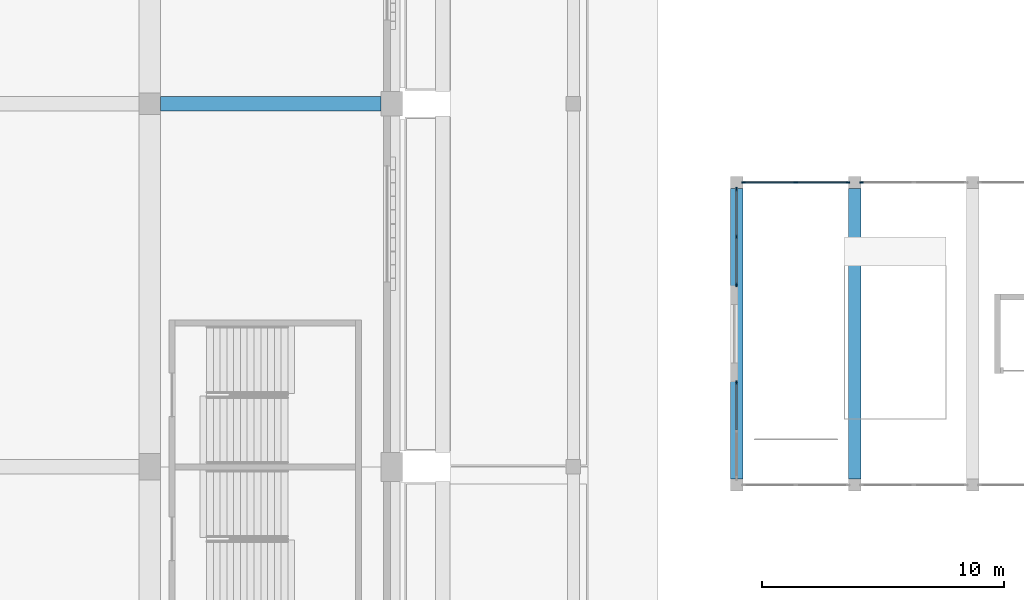
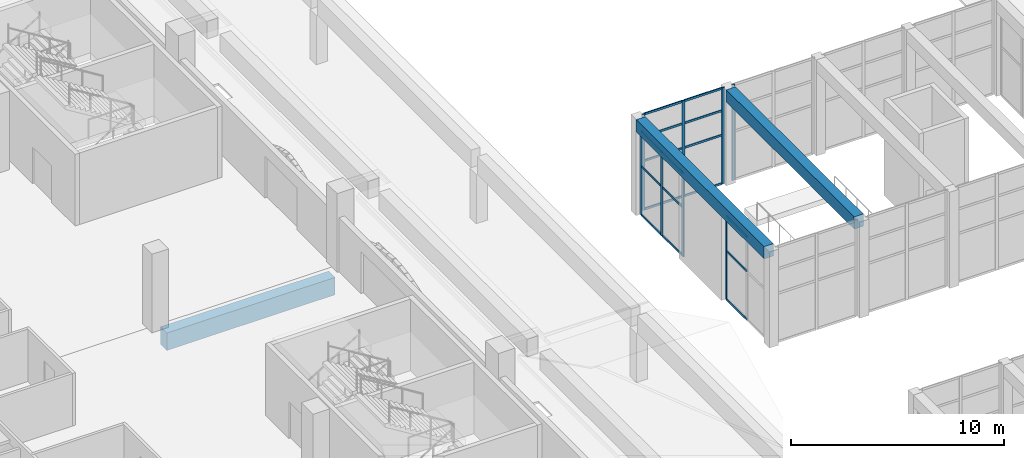
# One storey, part 9 of 175: 25 members, 3 beams, 4 elements without a shape of their own.
"""IFC4 building model written with IfcOpenShell, lengths in metres."""

from ifc_helpers import new_model, si_unit, direction, frame, origin, origin_2d, place, context, subcontext, project, spatial, rectangle, extrude, material, material_profile, profile_set, type_object, element, aggregate, save


model = new_model("IFC4")

# Units and contexts
model_context = context("Model", 3, precision=1e-05, world=origin(), true_north=direction((0.0, 1.0)))
body_context = subcontext(model_context, "Body", "Model", "MODEL_VIEW")
ifc_project = project(units=[si_unit("LENGTHUNIT", "METRE"), si_unit("AREAUNIT", "SQUARE_METRE"), si_unit("VOLUMEUNIT", "CUBIC_METRE"), si_unit("PLANEANGLEUNIT", "RADIAN"), si_unit("MASSUNIT", "GRAM", prefix="KILO")], contexts=[model_context])

# Site, building, storey
site_placement = place(None, origin())
site = spatial("IfcSite", under=ifc_project, at=site_placement, CompositionType="ELEMENT")
building_placement = place(site_placement, origin())
building = spatial("IfcBuilding", under=site, at=building_placement, Name="Ogive Plaza Stadium", CompositionType="ELEMENT")
storey_placement = place(building_placement, origin())
storey = spatial("IfcBuildingStorey", under=building, at=storey_placement, Name="L00", CompositionType="ELEMENT", Elevation=0.0)

# Curtain wall, members
ifc_material_1 = material(Name="Aluminium and laminated glass", Category="aluminium")
curtain_wall_type = type_object("IfcCurtainWallType", Name="Headhouse curtain wall", PredefinedType="NOTDEFINED", material=ifc_material_1)
curtain_wall_1_placement = place(storey_placement, origin())
curtain_wall_1 = element("IfcCurtainWall", 1, at=curtain_wall_1_placement, inside=storey, type_object=curtain_wall_type, Name="Headhouse 2 curtain wall", PredefinedType="NOTDEFINED")
ifc_material_2 = material(Name="Bronze-anodised aluminium", Category="aluminium")
ifc_material_profile_1 = material_profile(ifc_material_2, rectangle(XDim=0.06005859375, YDim=0.159912109375, at=origin_2d()), Name="Headhouse mullion 60x160")
ifc_profile_set_1 = profile_set([ifc_material_profile_1], Name="Bronze-anodised aluminium")
member_type_1 = type_object("IfcMemberType", Name="Headhouse mullion 60x160", PredefinedType="MULLION", material=ifc_profile_set_1)
member_1_placement = place(storey_placement, frame((98.530029296875, 19.25, 0.0), z_axis=(0.0, 0.0, 1.0), x_axis=(0.0, 1.0, 0.0)))
member_1 = element("IfcMember", 2, at=member_1_placement, type_object=member_type_1, Name="HCW2A mullion 1", PredefinedType="MULLION", context=body_context, shape_type="SweptSolid", body=[
    extrude(rectangle(XDim=0.06005859375, YDim=0.159912109375, at=origin_2d()), origin(), (0.0, 0.0, 1.0), 5.5),
])
member_2_placement = place(storey_placement, frame((100.6875, 19.25, 0.0), z_axis=(0.0, 0.0, 1.0), x_axis=(0.0, 1.0, 0.0)))
member_2 = element("IfcMember", 3, at=member_2_placement, type_object=member_type_1, Name="HCW2A mullion 2", PredefinedType="MULLION", context=body_context, shape_type="SweptSolid", body=[
    extrude(rectangle(XDim=0.06005859375, YDim=0.159912109375, at=origin_2d()), origin(), (0.0, 0.0, 1.0), 5.5),
])
member_3_placement = place(storey_placement, frame((102.844970703125, 19.25, 0.0), z_axis=(0.0, 0.0, 1.0), x_axis=(0.0, 1.0, 0.0)))
member_3 = element("IfcMember", 4, at=member_3_placement, type_object=member_type_1, Name="HCW2A mullion 3", PredefinedType="MULLION", context=body_context, shape_type="SweptSolid", body=[
    extrude(rectangle(XDim=0.06005859375, YDim=0.159912109375, at=origin_2d()), origin(), (0.0, 0.0, 1.0), 5.5),
])

# Curtain wall, member
curtain_wall_2_placement = place(storey_placement, origin())
curtain_wall_2 = element("IfcCurtainWall", 5, at=curtain_wall_2_placement, inside=storey, type_object=curtain_wall_type, Name="Headhouse 2 curtain wall", PredefinedType="NOTDEFINED")
member_4_placement = place(storey_placement, frame((103.405029296875, 19.25, 0.0), z_axis=(0.0, 0.0, 1.0), x_axis=(0.0, 1.0, 0.0)))
member_4 = element("IfcMember", 6, at=member_4_placement, type_object=member_type_1, Name="HCW2A mullion 1", PredefinedType="MULLION", context=body_context, shape_type="SweptSolid", body=[
    extrude(rectangle(XDim=0.06005859375, YDim=0.159912109375, at=origin_2d()), origin(), (0.0, 0.0, 1.0), 5.5),
])
aggregate(curtain_wall_2, [member_4])

curtain_wall_3_placement = place(storey_placement, origin())
curtain_wall_3 = element("IfcCurtainWall", 7, at=curtain_wall_3_placement, inside=storey, type_object=curtain_wall_type, Name="Headhouse 2 curtain wall", PredefinedType="NOTDEFINED")
member_5_placement = place(storey_placement, frame((98.25, 10.969970703125, 0.0), z_axis=(0.0, 0.0, 1.0), x_axis=(-1.0, 0.0, 0.0)))
member_5 = element("IfcMember", 8, at=member_5_placement, type_object=member_type_1, Name="HCW2B mullion 3", PredefinedType="MULLION", context=body_context, shape_type="SweptSolid", body=[
    extrude(rectangle(XDim=0.06005859375, YDim=0.159912109375, at=origin_2d()), origin(), (0.0, 0.0, 1.0), 4.800048828125),
])

# Curtain wall, members
curtain_wall_4_placement = place(storey_placement, origin())
curtain_wall_4 = element("IfcCurtainWall", 9, at=curtain_wall_4_placement, inside=storey, type_object=curtain_wall_type, Name="Headhouse 2 curtain wall", PredefinedType="NOTDEFINED")
member_6_placement = place(storey_placement, frame((98.25, 15.030029296875, 0.0), z_axis=(0.0, 0.0, 1.0), x_axis=(-1.0, 0.0, 0.0)))
member_6 = element("IfcMember", 10, at=member_6_placement, type_object=member_type_1, Name="HCW2B mullion 1", PredefinedType="MULLION", context=body_context, shape_type="SweptSolid", body=[
    extrude(rectangle(XDim=0.06005859375, YDim=0.159912109375, at=origin_2d()), origin(), (0.0, 0.0, 1.0), 4.800048828125),
])
member_7_placement = place(storey_placement, frame((98.25, 17.0, 0.0), z_axis=(0.0, 0.0, 1.0), x_axis=(-1.0, 0.0, 0.0)))
member_7 = element("IfcMember", 11, at=member_7_placement, type_object=member_type_1, Name="HCW2B mullion 2", PredefinedType="MULLION", context=body_context, shape_type="SweptSolid", body=[
    extrude(rectangle(XDim=0.06005859375, YDim=0.159912109375, at=origin_2d()), origin(), (0.0, 0.0, 1.0), 4.800048828125),
])
member_8_placement = place(storey_placement, frame((98.25, 18.969970703125, 0.0), z_axis=(0.0, 0.0, 1.0), x_axis=(-1.0, 0.0, 0.0)))
member_8 = element("IfcMember", 12, at=member_8_placement, type_object=member_type_1, Name="HCW2B mullion 3", PredefinedType="MULLION", context=body_context, shape_type="SweptSolid", body=[
    extrude(rectangle(XDim=0.06005859375, YDim=0.159912109375, at=origin_2d()), origin(), (0.0, 0.0, 1.0), 4.800048828125),
])

# Beams
ifc_material_3 = material(Name="Concrete C40/50", Category="concrete")
ifc_material_profile_2 = material_profile(ifc_material_3, rectangle(XDim=0.5, YDim=0.699951171875, at=origin_2d()), Name="Headhouse roof beam RC 500x700")
ifc_profile_set_2 = profile_set([ifc_material_profile_2], Name="Concrete C40/50")
beam_type_1 = type_object("IfcBeamType", Name="Headhouse roof beam RC 500x700", PredefinedType="BEAM", material=ifc_profile_set_2)
for number, where, z_axis, x_axis, name in (
    (13, (98.25, 7.0, 5.14990234375), (0.0, 1.0, 0.0), (-1.0, 0.0, 0.0), "Headhouse 2 roof beam 1"),
    (14, (103.125, 7.0, 5.14990234375), (0.0, 1.0, 0.0), (-1.0, 0.0, 0.0), "Headhouse 2 roof beam 2"),
):
    element("IfcBeam", number, at=place(storey_placement, frame(where, z_axis=z_axis, x_axis=x_axis)), inside=storey, type_object=beam_type_1, Name=name, PredefinedType="BEAM", context=body_context, shape_type="SweptSolid", body=[
        extrude(rectangle(XDim=0.5, YDim=0.699951171875, at=origin_2d()), origin(), (0.0, 0.0, 1.0), 12.0),
    ])

# Member
ifc_material_4 = material(Name="Bronze-anodised aluminium", Category="aluminium")
ifc_material_profile_3 = material_profile(ifc_material_4, rectangle(XDim=0.06005859375, YDim=0.1201171875, at=origin_2d()), Name="Headhouse transom 60x120")
ifc_profile_set_3 = profile_set([ifc_material_profile_3], Name="Bronze-anodised aluminium")
member_type_2 = type_object("IfcMemberType", Name="Headhouse transom 60x120", PredefinedType="USERDEFINED", material=ifc_profile_set_3)
member_9_placement = place(storey_placement, frame((98.56005859375, 19.25, 0.030029296875), z_axis=(1.0, 0.0, 0.0), x_axis=(0.0, 1.0, 0.0)))
member_9 = element("IfcMember", 15, at=member_9_placement, type_object=member_type_2, Name="HCW2A transom 1.1", ObjectType="TRANSOM", PredefinedType="USERDEFINED", context=body_context, shape_type="SweptSolid", body=[
    extrude(rectangle(XDim=0.06005859375, YDim=0.1201171875, at=origin_2d()), origin(), (0.0, 0.0, 1.0), 2.097412109375),
])

member_10_placement = place(storey_placement, frame((98.56005859375, 19.25, 2.800048828125), z_axis=(1.0, 0.0, 0.0), x_axis=(0.0, 1.0, 0.0)))
member_10 = element("IfcMember", 16, at=member_10_placement, type_object=member_type_2, Name="HCW2A transom 1.2", ObjectType="TRANSOM", PredefinedType="USERDEFINED", context=body_context, shape_type="SweptSolid", body=[
    extrude(rectangle(XDim=0.06005859375, YDim=0.1201171875, at=origin_2d()), origin(), (0.0, 0.0, 1.0), 2.097412109375),
])

member_11_placement = place(storey_placement, frame((98.56005859375, 19.25, 4.199951171875), z_axis=(1.0, 0.0, 0.0), x_axis=(0.0, 1.0, 0.0)))
member_11 = element("IfcMember", 17, at=member_11_placement, type_object=member_type_2, Name="HCW2A transom 1.3", ObjectType="TRANSOM", PredefinedType="USERDEFINED", context=body_context, shape_type="SweptSolid", body=[
    extrude(rectangle(XDim=0.06005859375, YDim=0.1201171875, at=origin_2d()), origin(), (0.0, 0.0, 1.0), 2.097412109375),
])

member_12_placement = place(storey_placement, frame((98.56005859375, 19.25, 5.469970703125), z_axis=(1.0, 0.0, 0.0), x_axis=(0.0, 1.0, 0.0)))
member_12 = element("IfcMember", 18, at=member_12_placement, type_object=member_type_2, Name="HCW2A transom 1.4", ObjectType="TRANSOM", PredefinedType="USERDEFINED", context=body_context, shape_type="SweptSolid", body=[
    extrude(rectangle(XDim=0.06005859375, YDim=0.1201171875, at=origin_2d()), origin(), (0.0, 0.0, 1.0), 2.097412109375),
])

member_13_placement = place(storey_placement, frame((100.717529296875, 19.25, 0.030029296875), z_axis=(1.0, 0.0, 0.0), x_axis=(0.0, 1.0, 0.0)))
member_13 = element("IfcMember", 19, at=member_13_placement, type_object=member_type_2, Name="HCW2A transom 2.1", ObjectType="TRANSOM", PredefinedType="USERDEFINED", context=body_context, shape_type="SweptSolid", body=[
    extrude(rectangle(XDim=0.06005859375, YDim=0.1201171875, at=origin_2d()), origin(), (0.0, 0.0, 1.0), 2.097412109375),
])

member_14_placement = place(storey_placement, frame((100.717529296875, 19.25, 2.800048828125), z_axis=(1.0, 0.0, 0.0), x_axis=(0.0, 1.0, 0.0)))
member_14 = element("IfcMember", 20, at=member_14_placement, type_object=member_type_2, Name="HCW2A transom 2.2", ObjectType="TRANSOM", PredefinedType="USERDEFINED", context=body_context, shape_type="SweptSolid", body=[
    extrude(rectangle(XDim=0.06005859375, YDim=0.1201171875, at=origin_2d()), origin(), (0.0, 0.0, 1.0), 2.097412109375),
])

member_15_placement = place(storey_placement, frame((100.717529296875, 19.25, 4.199951171875), z_axis=(1.0, 0.0, 0.0), x_axis=(0.0, 1.0, 0.0)))
member_15 = element("IfcMember", 21, at=member_15_placement, type_object=member_type_2, Name="HCW2A transom 2.3", ObjectType="TRANSOM", PredefinedType="USERDEFINED", context=body_context, shape_type="SweptSolid", body=[
    extrude(rectangle(XDim=0.06005859375, YDim=0.1201171875, at=origin_2d()), origin(), (0.0, 0.0, 1.0), 2.097412109375),
])

member_16_placement = place(storey_placement, frame((100.717529296875, 19.25, 5.469970703125), z_axis=(1.0, 0.0, 0.0), x_axis=(0.0, 1.0, 0.0)))
member_16 = element("IfcMember", 22, at=member_16_placement, type_object=member_type_2, Name="HCW2A transom 2.4", ObjectType="TRANSOM", PredefinedType="USERDEFINED", context=body_context, shape_type="SweptSolid", body=[
    extrude(rectangle(XDim=0.06005859375, YDim=0.1201171875, at=origin_2d()), origin(), (0.0, 0.0, 1.0), 2.097412109375),
])

aggregate(curtain_wall_1, [member_1, member_2, member_3, member_9, member_10, member_11, member_12, member_13, member_14, member_15, member_16])

member_17_placement = place(storey_placement, frame((98.25, 9.030029296875, 0.030029296875), z_axis=(0.0, 1.0, 0.0), x_axis=(-1.0, 0.0, 0.0)))
member_17 = element("IfcMember", 23, at=member_17_placement, type_object=member_type_2, Name="HCW2B transom 2.1", ObjectType="TRANSOM", PredefinedType="USERDEFINED", context=body_context, shape_type="SweptSolid", body=[
    extrude(rectangle(XDim=0.06005859375, YDim=0.1201171875, at=origin_2d()), origin(), (0.0, 0.0, 1.0), 1.909912109375),
])

member_18_placement = place(storey_placement, frame((98.25, 9.030029296875, 2.800048828125), z_axis=(0.0, 1.0, 0.0), x_axis=(-1.0, 0.0, 0.0)))
member_18 = element("IfcMember", 24, at=member_18_placement, type_object=member_type_2, Name="HCW2B transom 2.2", ObjectType="TRANSOM", PredefinedType="USERDEFINED", context=body_context, shape_type="SweptSolid", body=[
    extrude(rectangle(XDim=0.06005859375, YDim=0.1201171875, at=origin_2d()), origin(), (0.0, 0.0, 1.0), 1.909912109375),
])

member_19_placement = place(storey_placement, frame((98.25, 9.030029296875, 4.77001953125), z_axis=(0.0, 1.0, 0.0), x_axis=(-1.0, 0.0, 0.0)))
member_19 = element("IfcMember", 25, at=member_19_placement, type_object=member_type_2, Name="HCW2B transom 2.3", ObjectType="TRANSOM", PredefinedType="USERDEFINED", context=body_context, shape_type="SweptSolid", body=[
    extrude(rectangle(XDim=0.06005859375, YDim=0.1201171875, at=origin_2d()), origin(), (0.0, 0.0, 1.0), 1.909912109375),
])

aggregate(curtain_wall_3, [member_5, member_17, member_18, member_19])

member_20_placement = place(storey_placement, frame((98.25, 15.06005859375, 0.030029296875), z_axis=(0.0, 1.0, 0.0), x_axis=(-1.0, 0.0, 0.0)))
member_20 = element("IfcMember", 26, at=member_20_placement, type_object=member_type_2, Name="HCW2B transom 1.1", ObjectType="TRANSOM", PredefinedType="USERDEFINED", context=body_context, shape_type="SweptSolid", body=[
    extrude(rectangle(XDim=0.06005859375, YDim=0.1201171875, at=origin_2d()), origin(), (0.0, 0.0, 1.0), 1.909912109375),
])

member_21_placement = place(storey_placement, frame((98.25, 15.06005859375, 2.800048828125), z_axis=(0.0, 1.0, 0.0), x_axis=(-1.0, 0.0, 0.0)))
member_21 = element("IfcMember", 27, at=member_21_placement, type_object=member_type_2, Name="HCW2B transom 1.2", ObjectType="TRANSOM", PredefinedType="USERDEFINED", context=body_context, shape_type="SweptSolid", body=[
    extrude(rectangle(XDim=0.06005859375, YDim=0.1201171875, at=origin_2d()), origin(), (0.0, 0.0, 1.0), 1.909912109375),
])

member_22_placement = place(storey_placement, frame((98.25, 15.06005859375, 4.77001953125), z_axis=(0.0, 1.0, 0.0), x_axis=(-1.0, 0.0, 0.0)))
member_22 = element("IfcMember", 28, at=member_22_placement, type_object=member_type_2, Name="HCW2B transom 1.3", ObjectType="TRANSOM", PredefinedType="USERDEFINED", context=body_context, shape_type="SweptSolid", body=[
    extrude(rectangle(XDim=0.06005859375, YDim=0.1201171875, at=origin_2d()), origin(), (0.0, 0.0, 1.0), 1.909912109375),
])

member_23_placement = place(storey_placement, frame((98.25, 17.030029296875, 0.030029296875), z_axis=(0.0, 1.0, 0.0), x_axis=(-1.0, 0.0, 0.0)))
member_23 = element("IfcMember", 29, at=member_23_placement, type_object=member_type_2, Name="HCW2B transom 2.1", ObjectType="TRANSOM", PredefinedType="USERDEFINED", context=body_context, shape_type="SweptSolid", body=[
    extrude(rectangle(XDim=0.06005859375, YDim=0.1201171875, at=origin_2d()), origin(), (0.0, 0.0, 1.0), 1.909912109375),
])

member_24_placement = place(storey_placement, frame((98.25, 17.030029296875, 2.800048828125), z_axis=(0.0, 1.0, 0.0), x_axis=(-1.0, 0.0, 0.0)))
member_24 = element("IfcMember", 30, at=member_24_placement, type_object=member_type_2, Name="HCW2B transom 2.2", ObjectType="TRANSOM", PredefinedType="USERDEFINED", context=body_context, shape_type="SweptSolid", body=[
    extrude(rectangle(XDim=0.06005859375, YDim=0.1201171875, at=origin_2d()), origin(), (0.0, 0.0, 1.0), 1.909912109375),
])

member_25_placement = place(storey_placement, frame((98.25, 17.030029296875, 4.77001953125), z_axis=(0.0, 1.0, 0.0), x_axis=(-1.0, 0.0, 0.0)))
member_25 = element("IfcMember", 31, at=member_25_placement, type_object=member_type_2, Name="HCW2B transom 2.3", ObjectType="TRANSOM", PredefinedType="USERDEFINED", context=body_context, shape_type="SweptSolid", body=[
    extrude(rectangle(XDim=0.06005859375, YDim=0.1201171875, at=origin_2d()), origin(), (0.0, 0.0, 1.0), 1.909912109375),
])

aggregate(curtain_wall_4, [member_6, member_7, member_8, member_20, member_21, member_22, member_23, member_24, member_25])

# Beam
ifc_material_5 = material(Name="Concrete C40/50", Category="concrete")
ifc_material_profile_4 = material_profile(ifc_material_5, rectangle(XDim=0.60009765625, YDim=1.0, at=origin_2d()), Name="RC 600x1000")
ifc_profile_set_4 = profile_set([ifc_material_profile_4], Name="Concrete C40/50")
beam_type_2 = type_object("IfcBeamType", Name="RC radial beam 600x1000", PredefinedType="BEAM", material=ifc_profile_set_4)
beam_placement = place(storey_placement, frame((74.449951171875, 22.5, -0.909912109375), z_axis=(1.0, 0.0, 0.0), x_axis=(0.0, 1.0, 0.0)))
element("IfcBeam", 32, at=beam_placement, inside=storey, type_object=beam_type_2, Name="Radial beam L00 R03 F4F5", PredefinedType="BEAM", context=body_context, shape_type="SweptSolid", body=[
    extrude(rectangle(XDim=0.60009765625, YDim=1.0, at=origin_2d()), origin(), (0.0, 0.0, 1.0), 9.10009765625),
])

save(model, "model.ifc")
